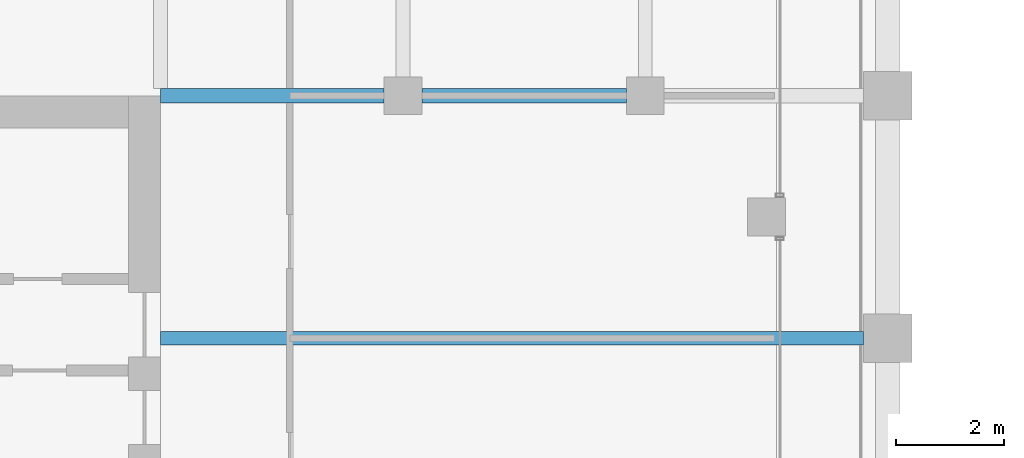
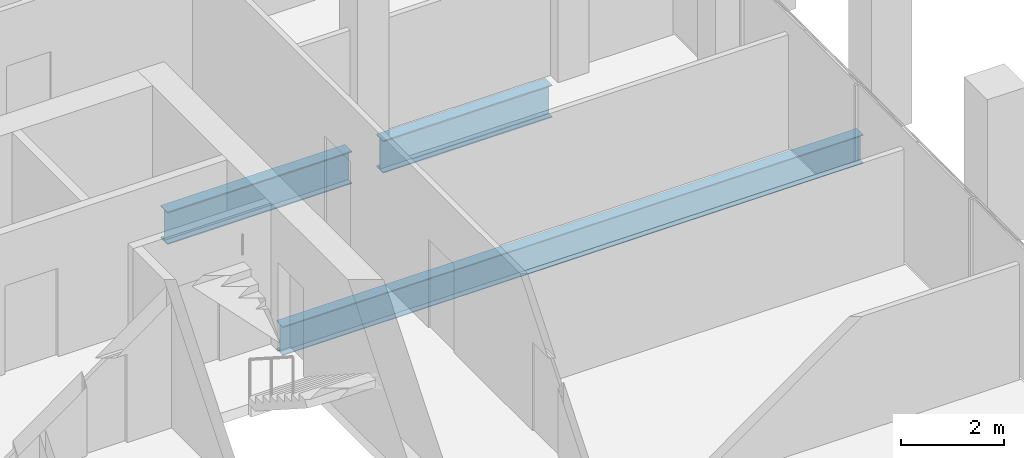
# One storey, part 18 of 40: 3 beams.
"""IFC4 building model written with IfcOpenShell, lengths in metres."""

from ifc_helpers import new_model, si_unit, direction, frame, origin, origin_2d, place, context, subcontext, project, spatial, i_section, extrude, material, material_profile, profile_set, type_object, element, save


model = new_model("IFC4")

# Units and contexts
model_context = context("Model", 3, precision=1e-05, world=origin(), true_north=direction((0.0, 1.0)))
body_context = subcontext(model_context, "Body", "Model", "MODEL_VIEW")
ifc_project = project(units=[si_unit("LENGTHUNIT", "METRE"), si_unit("AREAUNIT", "SQUARE_METRE"), si_unit("VOLUMEUNIT", "CUBIC_METRE"), si_unit("PLANEANGLEUNIT", "RADIAN"), si_unit("MASSUNIT", "GRAM", prefix="KILO")], contexts=[model_context])

# Site, building, storey
site_placement = place(None, origin())
site = spatial("IfcSite", under=ifc_project, at=site_placement, CompositionType="ELEMENT")
building_placement = place(site_placement, origin())
building = spatial("IfcBuilding", under=site, at=building_placement, Name="Altepetl Exchange Towers", CompositionType="ELEMENT")
storey_placement = place(building_placement, frame((0.0, 0.0, 176.199951171875)))
storey = spatial("IfcBuildingStorey", under=building, at=storey_placement, Name="L44", CompositionType="ELEMENT", Elevation=176.199951171875)

# Beams
ifc_material = material(Name="Steel S355", Category="steel")
ifc_material_profile_1 = material_profile(ifc_material, i_section(OverallWidth=0.25390625, OverallDepth=0.68408203125, WebThickness=0.012451171875, FlangeThickness=0.018798828125, at=origin_2d()), Name="W27X94")
ifc_profile_set_1 = profile_set([ifc_material_profile_1], Name="Steel S355")
beam_type_1 = type_object("IfcBeamType", Name="Floor beam W27X94", PredefinedType="BEAM", material=ifc_profile_set_1)
beam_1_placement = place(storey_placement, frame((58.5, 54.0, -0.491943359375), z_axis=(1.0, 0.0, 0.0), x_axis=(0.0, 1.0, 0.0)))
element("IfcBeam", 1, at=beam_1_placement, inside=storey, type_object=beam_type_1, Name="bm:A:L44:011", PredefinedType="BEAM", context=body_context, shape_type="SweptSolid", body=[
    extrude(i_section(OverallWidth=0.25390625, OverallDepth=0.68408203125, WebThickness=0.012451171875, FlangeThickness=0.018798828125, at=origin_2d()), origin(), (0.0, 0.0, 1.0), 13.050048828125),
])
ifc_material_profile_2 = material_profile(ifc_material, i_section(OverallWidth=0.26806640625, OverallDepth=0.77392578125, WebThickness=0.015380859375, FlangeThickness=0.025390625, at=origin_2d()), Name="W30X132")
ifc_profile_set_2 = profile_set([ifc_material_profile_2], Name="Steel S355")
beam_type_2 = type_object("IfcBeamType", Name="Girder W30X132", PredefinedType="BEAM", material=ifc_profile_set_2)
beam_2_placement = place(storey_placement, frame((58.5, 58.5, -0.536865234375), z_axis=(1.0, 0.0, 0.0), x_axis=(0.0, 1.0, 0.0)))
element("IfcBeam", 2, at=beam_2_placement, inside=storey, type_object=beam_type_2, Name="gd:A:L44:000", PredefinedType="BEAM", context=body_context, shape_type="SweptSolid", body=[
    extrude(i_section(OverallWidth=0.26806640625, OverallDepth=0.77392578125, WebThickness=0.015380859375, FlangeThickness=0.025390625, at=origin_2d()), origin(), (0.0, 0.0, 1.0), 4.14990234375),
])
beam_3_placement = place(storey_placement, frame((63.35009765625, 58.5, -0.536865234375), z_axis=(1.0, 0.0, 0.0), x_axis=(0.0, 1.0, 0.0)))
element("IfcBeam", 3, at=beam_3_placement, inside=storey, type_object=beam_type_2, Name="gd:A:L44:001", PredefinedType="BEAM", context=body_context, shape_type="SweptSolid", body=[
    extrude(i_section(OverallWidth=0.26806640625, OverallDepth=0.77392578125, WebThickness=0.015380859375, FlangeThickness=0.025390625, at=origin_2d()), origin(), (0.0, 0.0, 1.0), 3.7998046875),
])

save(model, "model.ifc")
